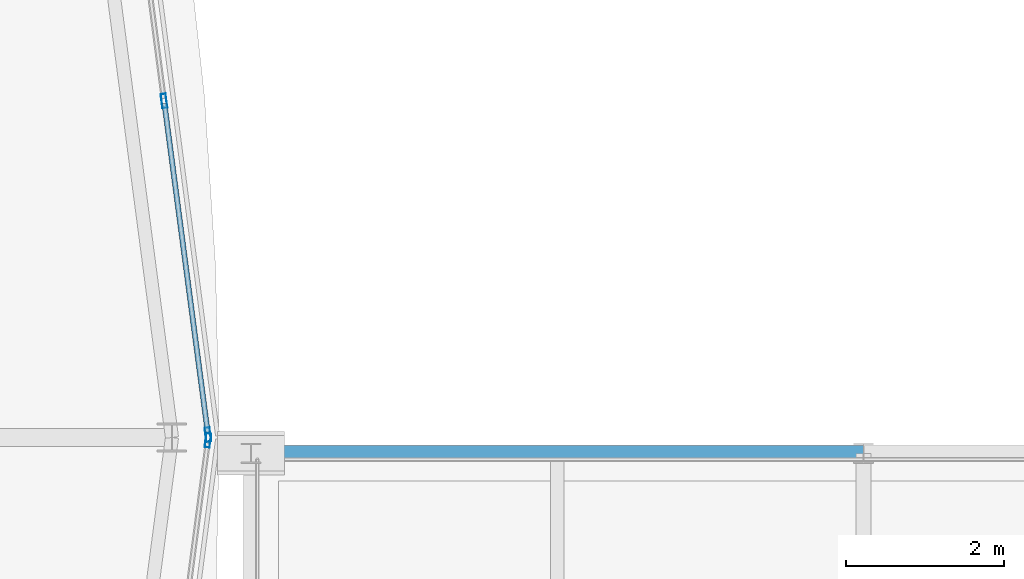
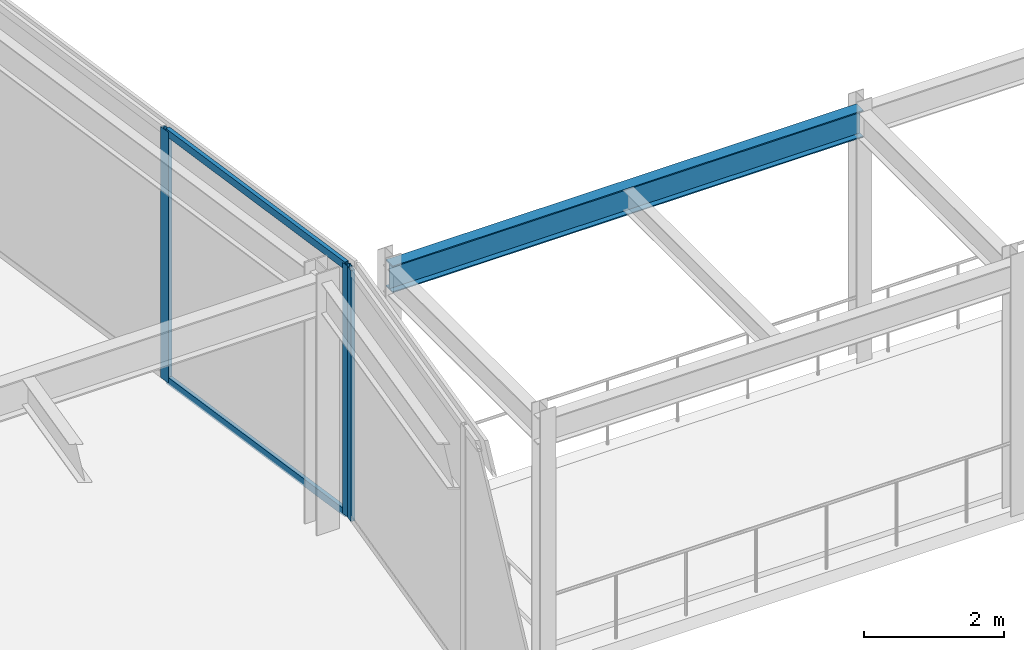
# One storey, part 96 of 157: 5 members, 1 beam, 2 elements without a shape of their own.
"""IFC4 building model written with IfcOpenShell, lengths in metres."""

from ifc_helpers import new_model, si_unit, direction, frame, origin, origin_2d, place, context, subcontext, project, spatial, hollow_rectangle, i_section, extrude, material, material_profile, profile_set, type_object, element, aggregate, save


model = new_model("IFC4")

# Units and contexts
model_context = context("Model", 3, precision=1e-05, world=origin(), true_north=direction((0.0, 1.0)))
body_context = subcontext(model_context, "Body", "Model", "MODEL_VIEW")
ifc_project = project(units=[si_unit("LENGTHUNIT", "METRE"), si_unit("AREAUNIT", "SQUARE_METRE"), si_unit("VOLUMEUNIT", "CUBIC_METRE"), si_unit("PLANEANGLEUNIT", "RADIAN"), si_unit("MASSUNIT", "GRAM", prefix="KILO")], contexts=[model_context])

# Site, building, storey
site_placement = place(None, origin())
site = spatial("IfcSite", under=ifc_project, at=site_placement, CompositionType="ELEMENT")
building_placement = place(site_placement, origin())
building = spatial("IfcBuilding", under=site, at=building_placement, Name="Almandine Court Research Institute", CompositionType="ELEMENT")
storey_placement = place(building_placement, frame((0.0, 0.0, 5.25)))
storey = spatial("IfcBuildingStorey", under=building, at=storey_placement, Name="L01", CompositionType="ELEMENT", Elevation=5.25)

# Beam
ifc_material_1 = material(Name="Steel ASTM A992 Grade 50", Category="steel")
ifc_material_profile_1 = material_profile(ifc_material_1, i_section(OverallWidth=0.193115234375, OverallDepth=0.466064453125, WebThickness=0.010986328125, FlangeThickness=0.01904296875, at=origin_2d()), Name="W460x97")
ifc_profile_set_1 = profile_set([ifc_material_profile_1], Name="Steel ASTM A992 Grade 50")
beam_type = type_object("IfcBeamType", Name="Beam-G-06-E", PredefinedType="SPANDREL", material=ifc_profile_set_1)
beam_placement = place(storey_placement, frame((136.89990234375, 55.800048828125, 4.116943359375), z_axis=(1.0, 0.0, 0.0), x_axis=(0.0, 1.0, 0.0)))
element("IfcBeam", 1, at=beam_placement, inside=storey, type_object=beam_type, Name="L01 DAL-E Primary X Girder", PredefinedType="SPANDREL", context=body_context, shape_type="SweptSolid", body=[
    extrude(i_section(OverallWidth=0.193115234375, OverallDepth=0.466064453125, WebThickness=0.010986328125, FlangeThickness=0.01904296875, at=origin_2d()), origin(), (0.0, 0.0, 1.0), 7.75),
])

# Curtain wall, member
ifc_material_2 = material(Name="Unitised Curtain Wall Framing and Solar Glazing", Category="glass")
curtain_wall_type = type_object("IfcCurtainWallType", Name="CW-CWJ-19", PredefinedType="USERDEFINED", material=ifc_material_2)
curtain_wall_1_placement = place(storey_placement, origin())
curtain_wall_1 = element("IfcCurtainWall", 2, at=curtain_wall_1_placement, inside=storey, type_object=curtain_wall_type, Name="L01 Stacked-Ring Drum Outer Solar Jali Screen 23", ObjectType="SOLAR JALI SCREEN", PredefinedType="USERDEFINED")
ifc_material_3 = material(Name="Anodised Aluminium AW-6063-T6", Category="aluminium")
ifc_material_profile_2 = material_profile(ifc_material_3, hollow_rectangle(XDim=0.06494140625, YDim=0.179931640625, WallThickness=0.00390625, at=origin_2d()), Name="ALU RHS 65x180x4")
ifc_profile_set_2 = profile_set([ifc_material_profile_2], Name="Anodised Aluminium AW-6063-T6")
member_type_1 = type_object("IfcMemberType", Name="CWMul-65x180", PredefinedType="MULLION", material=ifc_profile_set_2)
member_1_placement = place(storey_placement, frame((136.355712890625, 55.9638671875, 0.0), z_axis=(0.0, 0.0, 1.0), x_axis=(0.991442926098, -0.130540891259, 0.0)))
member_1 = element("IfcMember", 3, at=member_1_placement, type_object=member_type_1, Name="CWJ-19 mullion 1", PredefinedType="MULLION", context=body_context, shape_type="SweptSolid", body=[
    extrude(hollow_rectangle(XDim=0.06494140625, YDim=0.179931640625, WallThickness=0.00390625, at=origin_2d()), origin(), (0.0, 0.0, 1.0), 4.3701171875),
])
aggregate(curtain_wall_1, [member_1])

# Curtain wall, members
curtain_wall_2_placement = place(storey_placement, origin())
curtain_wall_2 = element("IfcCurtainWall", 4, at=curtain_wall_2_placement, inside=storey, type_object=curtain_wall_type, Name="L01 Stacked-Ring Drum Outer Solar Jali Screen 00", ObjectType="SOLAR JALI SCREEN", PredefinedType="USERDEFINED")
member_2_placement = place(storey_placement, frame((135.799560546875, 60.259765625, 0.0), z_axis=(0.0, 0.0, 1.0), x_axis=(0.991442926098, 0.130540891259, 0.0)))
member_2 = element("IfcMember", 5, at=member_2_placement, type_object=member_type_1, Name="CWJ-19 mullion 3", PredefinedType="MULLION", context=body_context, shape_type="SweptSolid", body=[
    extrude(hollow_rectangle(XDim=0.06494140625, YDim=0.179931640625, WallThickness=0.00390625, at=origin_2d()), origin(), (0.0, 0.0, 1.0), 4.3701171875),
])
member_3_placement = place(storey_placement, frame((136.355712890625, 56.0361328125, 0.0), z_axis=(0.0, 0.0, 1.0), x_axis=(0.991442926098, 0.130540891259, 0.0)))
member_3 = element("IfcMember", 6, at=member_3_placement, type_object=member_type_1, Name="CWJ-19 mullion 4", PredefinedType="MULLION", context=body_context, shape_type="SweptSolid", body=[
    extrude(hollow_rectangle(XDim=0.06494140625, YDim=0.179931640625, WallThickness=0.00390625, at=origin_2d()), origin(), (0.0, 0.0, 1.0), 4.3701171875),
])
ifc_material_profile_3 = material_profile(ifc_material_3, hollow_rectangle(XDim=0.06494140625, YDim=0.1298828125, WallThickness=0.00390625, at=origin_2d()), Name="ALU RHS 65x130x4")
ifc_profile_set_3 = profile_set([ifc_material_profile_3], Name="Anodised Aluminium AW-6063-T6")
member_type_2 = type_object("IfcMemberType", Name="CWTrn-65x130", PredefinedType="NOTDEFINED", material=ifc_profile_set_3)
member_4_placement = place(storey_placement, frame((135.803955078125, 60.2275390625, 0.032470703125), z_axis=(0.130535805655, -0.991443595694, 0.0), x_axis=(0.991443595694, 0.130535805655, 0.0)))
member_4 = element("IfcMember", 7, at=member_4_placement, type_object=member_type_2, Name="CWJ-19 transom 3.1", ObjectType="TRANSOM", PredefinedType="USERDEFINED", context=body_context, shape_type="SweptSolid", body=[
    extrude(hollow_rectangle(XDim=0.06494140625, YDim=0.1298828125, WallThickness=0.00390625, at=origin_2d()), origin(), (0.0, 0.0, 1.0), 4.195068359375),
])
member_5_placement = place(storey_placement, frame((135.803955078125, 60.2275390625, 4.33740234375), z_axis=(0.130535805655, -0.991443595694, 0.0), x_axis=(0.991443595694, 0.130535805655, 0.0)))
member_5 = element("IfcMember", 8, at=member_5_placement, type_object=member_type_2, Name="CWJ-19 transom 3.2", ObjectType="TRANSOM", PredefinedType="USERDEFINED", context=body_context, shape_type="SweptSolid", body=[
    extrude(hollow_rectangle(XDim=0.06494140625, YDim=0.1298828125, WallThickness=0.00390625, at=origin_2d()), origin(), (0.0, 0.0, 1.0), 4.195068359375),
])
aggregate(curtain_wall_2, [member_2, member_3, member_4, member_5])

save(model, "model.ifc")
